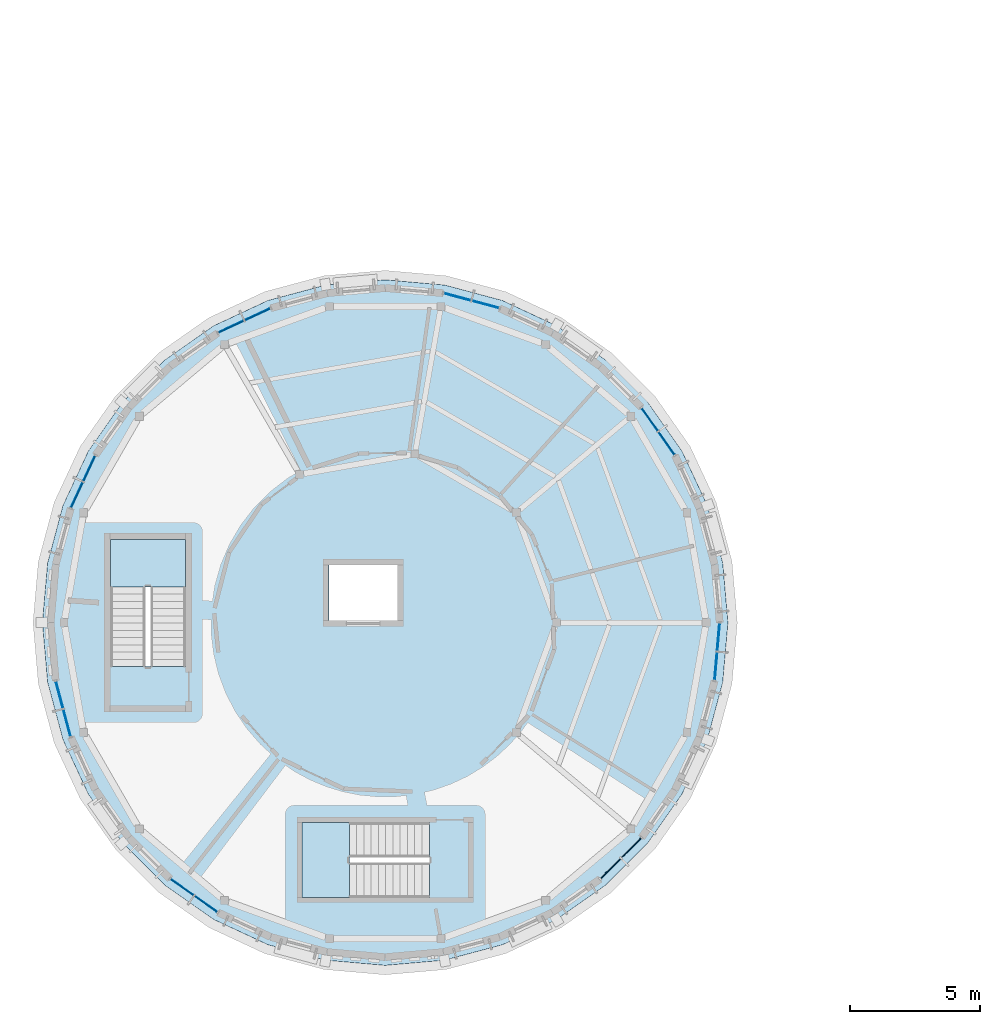
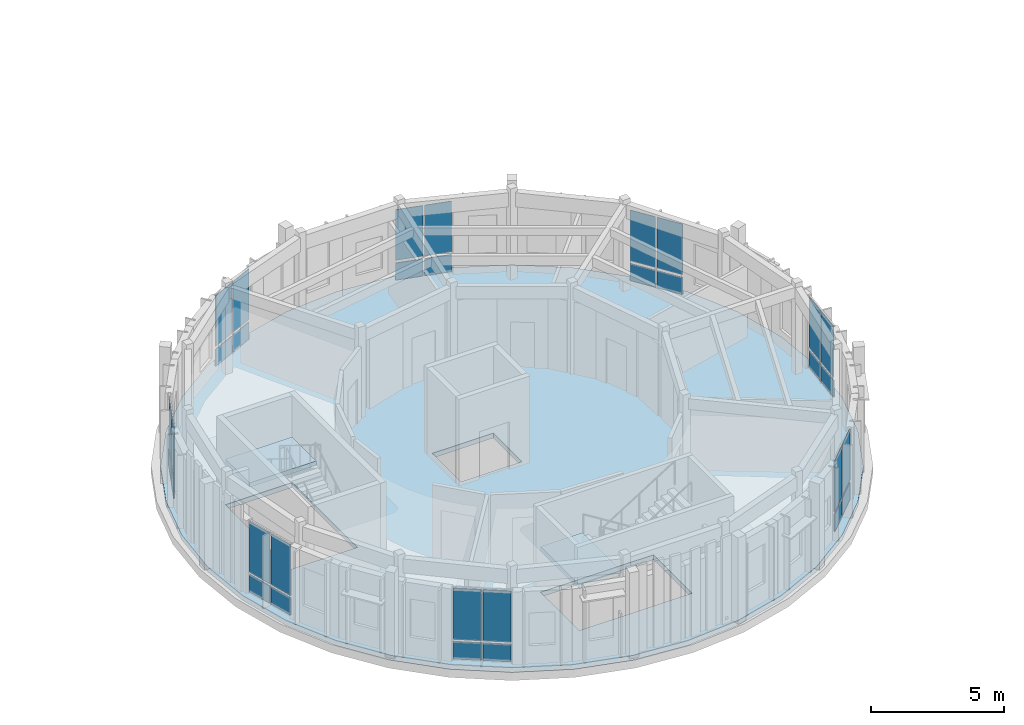
# One storey, part 11 of 37: 32 plates, 3 slabs, 10 elements without a shape of their own.
"""IFC4 building model written with IfcOpenShell, lengths in metres."""

from ifc_helpers import new_model, si_unit, direction, frame, origin, origin_2d, place, context, subcontext, project, spatial, polyline, rectangle, outline, extrude, material, layer, layer_set, type_object, element, aggregate, save


model = new_model("IFC4")

# Units and contexts
model_context = context("Model", 3, precision=1e-05, world=origin(), true_north=direction((0.0, 1.0)))
body_context = subcontext(model_context, "Body", "Model", "MODEL_VIEW")
ifc_project = project(units=[si_unit("LENGTHUNIT", "METRE"), si_unit("AREAUNIT", "SQUARE_METRE"), si_unit("VOLUMEUNIT", "CUBIC_METRE"), si_unit("PLANEANGLEUNIT", "RADIAN"), si_unit("MASSUNIT", "GRAM", prefix="KILO")], contexts=[model_context])

# Site, building, storey
site_placement = place(None, origin())
site = spatial("IfcSite", under=ifc_project, at=site_placement, CompositionType="ELEMENT")
building_placement = place(site_placement, origin())
building = spatial("IfcBuilding", under=site, at=building_placement, Name="Aldenvaro Health Centre", CompositionType="ELEMENT")
storey_placement = place(building_placement, frame((0.0, 0.0, 12.949951171875)))
storey = spatial("IfcBuildingStorey", under=building, at=storey_placement, Name="L03", CompositionType="ELEMENT", Elevation=12.949951171875)

# Curtain wall, plates
ifc_material_1 = material(Name="Anodised Aluminium 6063-T6", Category="aluminium")
ifc_layer_1 = layer(ifc_material_1, 0.22509765625, Name="Anodised Aluminium 6063-T6", Category="aluminium")
ifc_layer_set_1 = layer_set([ifc_layer_1], Name="Anodised Aluminium 6063-T6")
curtain_wall_type = type_object("IfcCurtainWallType", Name="CW-TER-04", PredefinedType="NOTDEFINED", material=ifc_layer_set_1)
curtain_wall_1_placement = place(storey_placement, origin())
curtain_wall_1 = element("IfcCurtainWall", 1, at=curtain_wall_1_placement, inside=storey, type_object=curtain_wall_type, Name="D5 L03 curtain wall bay 01", PredefinedType="NOTDEFINED")
ifc_material_2 = material(Name="Low-E Double Glazing IGU", Category="glass")
ifc_layer_2 = layer(ifc_material_2, 0.028076171875, Name="Low-E Double Glazing IGU", Category="glass")
ifc_layer_set_2 = layer_set([ifc_layer_2], Name="Low-E Double Glazing IGU")
plate_type_1 = type_object("IfcPlateType", Name="CWP-IGU-28", PredefinedType="CURTAIN_PANEL", material=ifc_layer_set_2)
plate_1_placement = place(storey_placement, frame((31.35107421875, 17.93994140625, 0.96044921875), z_axis=(0.0, 0.0, 1.0), x_axis=(-0.087166950289, -0.996193717495, 0.0)))
plate_1 = element("IfcPlate", 2, at=plate_1_placement, type_object=plate_type_1, Name="D5 L03 curtain wall bay 01 vision glazing 1", PredefinedType="CURTAIN_PANEL", context=body_context, shape_type="SweptSolid", body=[
    extrude(rectangle(XDim=1.053955078125, YDim=0.028076171875, at=origin_2d()), origin(), (0.0, 0.0, 1.0), 2.3291015625),
])
plate_2_placement = place(storey_placement, frame((31.2529296875, 16.820068359375, 0.96044921875), z_axis=(0.0, 0.0, 1.0), x_axis=(-0.087166950289, -0.996193717495, 0.0)))
plate_2 = element("IfcPlate", 3, at=plate_2_placement, type_object=plate_type_1, Name="D5 L03 curtain wall bay 01 vision glazing 2", PredefinedType="CURTAIN_PANEL", context=body_context, shape_type="SweptSolid", body=[
    extrude(rectangle(XDim=1.053955078125, YDim=0.028076171875, at=origin_2d()), origin(), (0.0, 0.0, 1.0), 2.3291015625),
])

curtain_wall_2_placement = place(storey_placement, origin())
curtain_wall_2 = element("IfcCurtainWall", 4, at=curtain_wall_2_placement, inside=storey, type_object=curtain_wall_type, Name="D5 L03 curtain wall bay 05", PredefinedType="NOTDEFINED")
plate_3_placement = place(storey_placement, frame((27.985107421875, 9.81103515625, 0.96044921875), z_axis=(0.0, 0.0, 1.0), x_axis=(-0.707106781187, -0.707106781187, 0.0)))
plate_3 = element("IfcPlate", 5, at=plate_3_placement, type_object=plate_type_1, Name="D5 L03 curtain wall bay 05 vision glazing 1", PredefinedType="CURTAIN_PANEL", context=body_context, shape_type="SweptSolid", body=[
    extrude(rectangle(XDim=1.053955078125, YDim=0.028076171875, at=origin_2d()), origin(), (0.0, 0.0, 1.0), 2.3291015625),
])
plate_4_placement = place(storey_placement, frame((27.18994140625, 9.014892578125, 0.96044921875), z_axis=(0.0, 0.0, 1.0), x_axis=(-0.707106781187, -0.707106781187, 0.0)))
plate_4 = element("IfcPlate", 6, at=plate_4_placement, type_object=plate_type_1, Name="D5 L03 curtain wall bay 05 vision glazing 2", PredefinedType="CURTAIN_PANEL", context=body_context, shape_type="SweptSolid", body=[
    extrude(rectangle(XDim=1.053955078125, YDim=0.028076171875, at=origin_2d()), origin(), (0.0, 0.0, 1.0), 2.3291015625),
])

curtain_wall_3_placement = place(storey_placement, origin())
curtain_wall_3 = element("IfcCurtainWall", 7, at=curtain_wall_3_placement, inside=storey, type_object=curtain_wall_type, Name="D5 L03 curtain wall bay 13", PredefinedType="NOTDEFINED")
plate_5_placement = place(storey_placement, frame((11.590087890625, 7.65087890625, 0.96044921875), z_axis=(0.0, 0.0, 1.0), x_axis=(-0.819106553991, 0.573641397746, 0.0)))
plate_5 = element("IfcPlate", 8, at=plate_5_placement, type_object=plate_type_1, Name="D5 L03 curtain wall bay 13 vision glazing 1", PredefinedType="CURTAIN_PANEL", context=body_context, shape_type="SweptSolid", body=[
    extrude(rectangle(XDim=1.053955078125, YDim=0.028076171875, at=origin_2d()), origin(), (0.0, 0.0, 1.0), 2.3291015625),
])
plate_6_placement = place(storey_placement, frame((10.66796875, 8.2958984375, 0.96044921875), z_axis=(0.0, 0.0, 1.0), x_axis=(-0.819106553991, 0.573641397746, 0.0)))
plate_6 = element("IfcPlate", 9, at=plate_6_placement, type_object=plate_type_1, Name="D5 L03 curtain wall bay 13 vision glazing 2", PredefinedType="CURTAIN_PANEL", context=body_context, shape_type="SweptSolid", body=[
    extrude(rectangle(XDim=1.053955078125, YDim=0.028076171875, at=origin_2d()), origin(), (0.0, 0.0, 1.0), 2.3291015625),
])

curtain_wall_4_placement = place(storey_placement, origin())
curtain_wall_4 = element("IfcCurtainWall", 10, at=curtain_wall_4_placement, inside=storey, type_object=curtain_wall_type, Name="D5 L03 curtain wall bay 17", PredefinedType="NOTDEFINED")
plate_7_placement = place(storey_placement, frame((6.23193359375, 14.631103515625, 0.96044921875), z_axis=(0.0, 0.0, 1.0), x_axis=(-0.258825000966, 0.9659242304, 0.0)))
plate_7 = element("IfcPlate", 11, at=plate_7_placement, type_object=plate_type_1, Name="D5 L03 curtain wall bay 17 vision glazing 1", PredefinedType="CURTAIN_PANEL", context=body_context, shape_type="SweptSolid", body=[
    extrude(rectangle(XDim=1.053955078125, YDim=0.028076171875, at=origin_2d()), origin(), (0.0, 0.0, 1.0), 2.3291015625),
])
plate_8_placement = place(storey_placement, frame((5.94189453125, 15.717041015625, 0.96044921875), z_axis=(0.0, 0.0, 1.0), x_axis=(-0.258825000966, 0.9659242304, 0.0)))
plate_8 = element("IfcPlate", 12, at=plate_8_placement, type_object=plate_type_1, Name="D5 L03 curtain wall bay 17 vision glazing 2", PredefinedType="CURTAIN_PANEL", context=body_context, shape_type="SweptSolid", body=[
    extrude(rectangle(XDim=1.053955078125, YDim=0.028076171875, at=origin_2d()), origin(), (0.0, 0.0, 1.0), 2.3291015625),
])

curtain_wall_5_placement = place(storey_placement, origin())
curtain_wall_5 = element("IfcCurtainWall", 13, at=curtain_wall_5_placement, inside=storey, type_object=curtain_wall_type, Name="D5 L03 curtain wall bay 21", PredefinedType="NOTDEFINED")
plate_9_placement = place(storey_placement, frame((6.614990234375, 23.4208984375, 0.96044921875), z_axis=(0.0, 0.0, 1.0), x_axis=(0.422495879545, 0.906364844733, 0.0)))
plate_9 = element("IfcPlate", 14, at=plate_9_placement, type_object=plate_type_1, Name="D5 L03 curtain wall bay 21 vision glazing 1", PredefinedType="CURTAIN_PANEL", context=body_context, shape_type="SweptSolid", body=[
    extrude(rectangle(XDim=1.053955078125, YDim=0.028076171875, at=origin_2d()), origin(), (0.0, 0.0, 1.0), 2.3291015625),
])
plate_10_placement = place(storey_placement, frame((7.091064453125, 24.44091796875, 0.96044921875), z_axis=(0.0, 0.0, 1.0), x_axis=(0.422495879545, 0.906364844733, 0.0)))
plate_10 = element("IfcPlate", 15, at=plate_10_placement, type_object=plate_type_1, Name="D5 L03 curtain wall bay 21 vision glazing 2", PredefinedType="CURTAIN_PANEL", context=body_context, shape_type="SweptSolid", body=[
    extrude(rectangle(XDim=1.053955078125, YDim=0.028076171875, at=origin_2d()), origin(), (0.0, 0.0, 1.0), 2.3291015625),
])

curtain_wall_6_placement = place(storey_placement, origin())
curtain_wall_6 = element("IfcCurtainWall", 16, at=curtain_wall_6_placement, inside=storey, type_object=curtain_wall_type, Name="D5 L03 curtain wall bay 25", PredefinedType="NOTDEFINED")
plate_11_placement = place(storey_placement, frame((12.55908203125, 29.909912109375, 0.96044921875), z_axis=(0.0, 0.0, 1.0), x_axis=(0.906364844733, 0.422495879545, 0.0)))
plate_11 = element("IfcPlate", 17, at=plate_11_placement, type_object=plate_type_1, Name="D5 L03 curtain wall bay 25 vision glazing 1", PredefinedType="CURTAIN_PANEL", context=body_context, shape_type="SweptSolid", body=[
    extrude(rectangle(XDim=1.053955078125, YDim=0.028076171875, at=origin_2d()), origin(), (0.0, 0.0, 1.0), 2.3291015625),
])
plate_12_placement = place(storey_placement, frame((13.5791015625, 30.384033203125, 0.96044921875), z_axis=(0.0, 0.0, 1.0), x_axis=(0.906364844733, 0.422495879545, 0.0)))
plate_12 = element("IfcPlate", 18, at=plate_12_placement, type_object=plate_type_1, Name="D5 L03 curtain wall bay 25 vision glazing 2", PredefinedType="CURTAIN_PANEL", context=body_context, shape_type="SweptSolid", body=[
    extrude(rectangle(XDim=1.053955078125, YDim=0.028076171875, at=origin_2d()), origin(), (0.0, 0.0, 1.0), 2.3291015625),
])

curtain_wall_7_placement = place(storey_placement, origin())
curtain_wall_7 = element("IfcCurtainWall", 19, at=curtain_wall_7_placement, inside=storey, type_object=curtain_wall_type, Name="D5 L03 curtain wall bay 29", PredefinedType="NOTDEFINED")
plate_13_placement = place(storey_placement, frame((21.282958984375, 31.05908203125, 0.96044921875), z_axis=(0.0, 0.0, 1.0), x_axis=(0.9659242304, -0.258825000966, 0.0)))
plate_13 = element("IfcPlate", 20, at=plate_13_placement, type_object=plate_type_1, Name="D5 L03 curtain wall bay 29 vision glazing 1", PredefinedType="CURTAIN_PANEL", context=body_context, shape_type="SweptSolid", body=[
    extrude(rectangle(XDim=1.053955078125, YDim=0.028076171875, at=origin_2d()), origin(), (0.0, 0.0, 1.0), 2.3291015625),
])
plate_14_placement = place(storey_placement, frame((22.368896484375, 30.76806640625, 0.96044921875), z_axis=(0.0, 0.0, 1.0), x_axis=(0.9659242304, -0.258825000966, 0.0)))
plate_14 = element("IfcPlate", 21, at=plate_14_placement, type_object=plate_type_1, Name="D5 L03 curtain wall bay 29 vision glazing 2", PredefinedType="CURTAIN_PANEL", context=body_context, shape_type="SweptSolid", body=[
    extrude(rectangle(XDim=1.053955078125, YDim=0.028076171875, at=origin_2d()), origin(), (0.0, 0.0, 1.0), 2.3291015625),
])

curtain_wall_8_placement = place(storey_placement, origin())
curtain_wall_8 = element("IfcCurtainWall", 22, at=curtain_wall_8_placement, inside=storey, type_object=curtain_wall_type, Name="D5 L03 curtain wall bay 33", PredefinedType="NOTDEFINED")
plate_15_placement = place(storey_placement, frame((28.705078125, 26.33203125, 0.96044921875), z_axis=(0.0, 0.0, 1.0), x_axis=(0.573641397746, -0.819106553991, 0.0)))
plate_15 = element("IfcPlate", 23, at=plate_15_placement, type_object=plate_type_1, Name="D5 L03 curtain wall bay 33 vision glazing 1", PredefinedType="CURTAIN_PANEL", context=body_context, shape_type="SweptSolid", body=[
    extrude(rectangle(XDim=1.053955078125, YDim=0.028076171875, at=origin_2d()), origin(), (0.0, 0.0, 1.0), 2.3291015625),
])
plate_16_placement = place(storey_placement, frame((29.34912109375, 25.409912109375, 0.96044921875), z_axis=(0.0, 0.0, 1.0), x_axis=(0.573641397746, -0.819106553991, 0.0)))
plate_16 = element("IfcPlate", 24, at=plate_16_placement, type_object=plate_type_1, Name="D5 L03 curtain wall bay 33 vision glazing 2", PredefinedType="CURTAIN_PANEL", context=body_context, shape_type="SweptSolid", body=[
    extrude(rectangle(XDim=1.053955078125, YDim=0.028076171875, at=origin_2d()), origin(), (0.0, 0.0, 1.0), 2.3291015625),
])

# Plate
ifc_material_3 = material(Name="Insulated Aluminium Spandrel", Category="aluminium")
ifc_layer_3 = layer(ifc_material_3, 0.035888671875, Name="Insulated Aluminium Spandrel", Category="aluminium")
ifc_layer_set_3 = layer_set([ifc_layer_3], Name="Insulated Aluminium Spandrel")
plate_type_2 = type_object("IfcPlateType", Name="CWP-SPN-36", PredefinedType="CURTAIN_PANEL", material=ifc_layer_set_3)
plate_17_placement = place(storey_placement, frame((31.35107421875, 17.93994140625, 0.06005859375), z_axis=(0.0, 0.0, 1.0), x_axis=(-0.087166950289, -0.996193717495, 0.0)))
plate_17 = element("IfcPlate", 25, at=plate_17_placement, type_object=plate_type_2, Name="D5 L03 curtain wall bay 01 spandrel panel 1", PredefinedType="CURTAIN_PANEL", context=body_context, shape_type="SweptSolid", body=[
    extrude(rectangle(XDim=1.053955078125, YDim=0.035888671875, at=origin_2d()), origin(), (0.0, 0.0, 1.0), 0.780029296875),
])

plate_18_placement = place(storey_placement, frame((31.2529296875, 16.820068359375, 0.06005859375), z_axis=(0.0, 0.0, 1.0), x_axis=(-0.087166950289, -0.996193717495, 0.0)))
plate_18 = element("IfcPlate", 26, at=plate_18_placement, type_object=plate_type_2, Name="D5 L03 curtain wall bay 01 spandrel panel 2", PredefinedType="CURTAIN_PANEL", context=body_context, shape_type="SweptSolid", body=[
    extrude(rectangle(XDim=1.053955078125, YDim=0.035888671875, at=origin_2d()), origin(), (0.0, 0.0, 1.0), 0.780029296875),
])

aggregate(curtain_wall_1, [plate_17, plate_1, plate_18, plate_2])

plate_19_placement = place(storey_placement, frame((27.985107421875, 9.81103515625, 0.06005859375), z_axis=(0.0, 0.0, 1.0), x_axis=(-0.707106781187, -0.707106781187, 0.0)))
plate_19 = element("IfcPlate", 27, at=plate_19_placement, type_object=plate_type_2, Name="D5 L03 curtain wall bay 05 spandrel panel 1", PredefinedType="CURTAIN_PANEL", context=body_context, shape_type="SweptSolid", body=[
    extrude(rectangle(XDim=1.053955078125, YDim=0.035888671875, at=origin_2d()), origin(), (0.0, 0.0, 1.0), 0.780029296875),
])

plate_20_placement = place(storey_placement, frame((27.18994140625, 9.014892578125, 0.06005859375), z_axis=(0.0, 0.0, 1.0), x_axis=(-0.707106781187, -0.707106781187, 0.0)))
plate_20 = element("IfcPlate", 28, at=plate_20_placement, type_object=plate_type_2, Name="D5 L03 curtain wall bay 05 spandrel panel 2", PredefinedType="CURTAIN_PANEL", context=body_context, shape_type="SweptSolid", body=[
    extrude(rectangle(XDim=1.053955078125, YDim=0.035888671875, at=origin_2d()), origin(), (0.0, 0.0, 1.0), 0.780029296875),
])

aggregate(curtain_wall_2, [plate_19, plate_3, plate_20, plate_4])

plate_21_placement = place(storey_placement, frame((11.590087890625, 7.65087890625, 0.06005859375), z_axis=(0.0, 0.0, 1.0), x_axis=(-0.819106553991, 0.573641397746, 0.0)))
plate_21 = element("IfcPlate", 29, at=plate_21_placement, type_object=plate_type_2, Name="D5 L03 curtain wall bay 13 spandrel panel 1", PredefinedType="CURTAIN_PANEL", context=body_context, shape_type="SweptSolid", body=[
    extrude(rectangle(XDim=1.053955078125, YDim=0.035888671875, at=origin_2d()), origin(), (0.0, 0.0, 1.0), 0.780029296875),
])

plate_22_placement = place(storey_placement, frame((10.66796875, 8.2958984375, 0.06005859375), z_axis=(0.0, 0.0, 1.0), x_axis=(-0.819106553991, 0.573641397746, 0.0)))
plate_22 = element("IfcPlate", 30, at=plate_22_placement, type_object=plate_type_2, Name="D5 L03 curtain wall bay 13 spandrel panel 2", PredefinedType="CURTAIN_PANEL", context=body_context, shape_type="SweptSolid", body=[
    extrude(rectangle(XDim=1.053955078125, YDim=0.035888671875, at=origin_2d()), origin(), (0.0, 0.0, 1.0), 0.780029296875),
])

aggregate(curtain_wall_3, [plate_21, plate_5, plate_22, plate_6])

plate_23_placement = place(storey_placement, frame((6.23193359375, 14.631103515625, 0.06005859375), z_axis=(0.0, 0.0, 1.0), x_axis=(-0.258825000966, 0.9659242304, 0.0)))
plate_23 = element("IfcPlate", 31, at=plate_23_placement, type_object=plate_type_2, Name="D5 L03 curtain wall bay 17 spandrel panel 1", PredefinedType="CURTAIN_PANEL", context=body_context, shape_type="SweptSolid", body=[
    extrude(rectangle(XDim=1.053955078125, YDim=0.035888671875, at=origin_2d()), origin(), (0.0, 0.0, 1.0), 0.780029296875),
])

plate_24_placement = place(storey_placement, frame((5.94189453125, 15.717041015625, 0.06005859375), z_axis=(0.0, 0.0, 1.0), x_axis=(-0.258825000966, 0.9659242304, 0.0)))
plate_24 = element("IfcPlate", 32, at=plate_24_placement, type_object=plate_type_2, Name="D5 L03 curtain wall bay 17 spandrel panel 2", PredefinedType="CURTAIN_PANEL", context=body_context, shape_type="SweptSolid", body=[
    extrude(rectangle(XDim=1.053955078125, YDim=0.035888671875, at=origin_2d()), origin(), (0.0, 0.0, 1.0), 0.780029296875),
])

aggregate(curtain_wall_4, [plate_23, plate_7, plate_24, plate_8])

plate_25_placement = place(storey_placement, frame((6.614990234375, 23.4208984375, 0.06005859375), z_axis=(0.0, 0.0, 1.0), x_axis=(0.422495879545, 0.906364844733, 0.0)))
plate_25 = element("IfcPlate", 33, at=plate_25_placement, type_object=plate_type_2, Name="D5 L03 curtain wall bay 21 spandrel panel 1", PredefinedType="CURTAIN_PANEL", context=body_context, shape_type="SweptSolid", body=[
    extrude(rectangle(XDim=1.053955078125, YDim=0.035888671875, at=origin_2d()), origin(), (0.0, 0.0, 1.0), 0.780029296875),
])

plate_26_placement = place(storey_placement, frame((7.091064453125, 24.44091796875, 0.06005859375), z_axis=(0.0, 0.0, 1.0), x_axis=(0.422495879545, 0.906364844733, 0.0)))
plate_26 = element("IfcPlate", 34, at=plate_26_placement, type_object=plate_type_2, Name="D5 L03 curtain wall bay 21 spandrel panel 2", PredefinedType="CURTAIN_PANEL", context=body_context, shape_type="SweptSolid", body=[
    extrude(rectangle(XDim=1.053955078125, YDim=0.035888671875, at=origin_2d()), origin(), (0.0, 0.0, 1.0), 0.780029296875),
])

aggregate(curtain_wall_5, [plate_25, plate_9, plate_26, plate_10])

plate_27_placement = place(storey_placement, frame((12.55908203125, 29.909912109375, 0.06005859375), z_axis=(0.0, 0.0, 1.0), x_axis=(0.906364844733, 0.422495879545, 0.0)))
plate_27 = element("IfcPlate", 35, at=plate_27_placement, type_object=plate_type_2, Name="D5 L03 curtain wall bay 25 spandrel panel 1", PredefinedType="CURTAIN_PANEL", context=body_context, shape_type="SweptSolid", body=[
    extrude(rectangle(XDim=1.053955078125, YDim=0.035888671875, at=origin_2d()), origin(), (0.0, 0.0, 1.0), 0.780029296875),
])

plate_28_placement = place(storey_placement, frame((13.5791015625, 30.384033203125, 0.06005859375), z_axis=(0.0, 0.0, 1.0), x_axis=(0.906364844733, 0.422495879545, 0.0)))
plate_28 = element("IfcPlate", 36, at=plate_28_placement, type_object=plate_type_2, Name="D5 L03 curtain wall bay 25 spandrel panel 2", PredefinedType="CURTAIN_PANEL", context=body_context, shape_type="SweptSolid", body=[
    extrude(rectangle(XDim=1.053955078125, YDim=0.035888671875, at=origin_2d()), origin(), (0.0, 0.0, 1.0), 0.780029296875),
])

aggregate(curtain_wall_6, [plate_27, plate_11, plate_28, plate_12])

plate_29_placement = place(storey_placement, frame((21.282958984375, 31.05908203125, 0.06005859375), z_axis=(0.0, 0.0, 1.0), x_axis=(0.9659242304, -0.258825000966, 0.0)))
plate_29 = element("IfcPlate", 37, at=plate_29_placement, type_object=plate_type_2, Name="D5 L03 curtain wall bay 29 spandrel panel 1", PredefinedType="CURTAIN_PANEL", context=body_context, shape_type="SweptSolid", body=[
    extrude(rectangle(XDim=1.053955078125, YDim=0.035888671875, at=origin_2d()), origin(), (0.0, 0.0, 1.0), 0.780029296875),
])

plate_30_placement = place(storey_placement, frame((22.368896484375, 30.76806640625, 0.06005859375), z_axis=(0.0, 0.0, 1.0), x_axis=(0.9659242304, -0.258825000966, 0.0)))
plate_30 = element("IfcPlate", 38, at=plate_30_placement, type_object=plate_type_2, Name="D5 L03 curtain wall bay 29 spandrel panel 2", PredefinedType="CURTAIN_PANEL", context=body_context, shape_type="SweptSolid", body=[
    extrude(rectangle(XDim=1.053955078125, YDim=0.035888671875, at=origin_2d()), origin(), (0.0, 0.0, 1.0), 0.780029296875),
])

aggregate(curtain_wall_7, [plate_29, plate_13, plate_30, plate_14])

plate_31_placement = place(storey_placement, frame((28.705078125, 26.33203125, 0.06005859375), z_axis=(0.0, 0.0, 1.0), x_axis=(0.573641397746, -0.819106553991, 0.0)))
plate_31 = element("IfcPlate", 39, at=plate_31_placement, type_object=plate_type_2, Name="D5 L03 curtain wall bay 33 spandrel panel 1", PredefinedType="CURTAIN_PANEL", context=body_context, shape_type="SweptSolid", body=[
    extrude(rectangle(XDim=1.053955078125, YDim=0.035888671875, at=origin_2d()), origin(), (0.0, 0.0, 1.0), 0.780029296875),
])

plate_32_placement = place(storey_placement, frame((29.34912109375, 25.409912109375, 0.06005859375), z_axis=(0.0, 0.0, 1.0), x_axis=(0.573641397746, -0.819106553991, 0.0)))
plate_32 = element("IfcPlate", 40, at=plate_32_placement, type_object=plate_type_2, Name="D5 L03 curtain wall bay 33 spandrel panel 2", PredefinedType="CURTAIN_PANEL", context=body_context, shape_type="SweptSolid", body=[
    extrude(rectangle(XDim=1.053955078125, YDim=0.035888671875, at=origin_2d()), origin(), (0.0, 0.0, 1.0), 0.780029296875),
])

aggregate(curtain_wall_8, [plate_31, plate_15, plate_32, plate_16])

# Slab
ifc_material_4 = material(Name="Cross-laminated timber CLT E1", Category="wood")
ifc_layer_4 = layer(ifc_material_4, 0.22509765625, Name="Cross-laminated timber CLT E1", Category="wood")
ifc_layer_set_4 = layer_set([ifc_layer_4], Name="Cross-laminated timber CLT E1")
slab_type_1 = type_object("IfcSlabType", Name="SLB-CLT-225", PredefinedType="FLOOR", material=ifc_layer_set_4)
slab_1_placement = place(storey_placement, frame((0.0, 0.0, -0.224853515625)))
element("IfcSlab", 41, at=slab_1_placement, inside=storey, type_object=slab_type_1, Name="D5 L03 floor slab", PredefinedType="FLOOR", context=body_context, shape_type="SweptSolid", body=[
    extrude(outline(polyline([(31.719970703125, 18.5), (31.51904296875, 20.7958984375), (30.923095703125, 23.02197265625), (29.948974609375, 25.110107421875), (28.626953125, 26.998046875), (26.998046875, 28.626953125), (25.110107421875, 29.948974609375), (23.02197265625, 30.923095703125), (20.7958984375, 31.51904296875), (18.5, 31.719970703125), (16.2041015625, 31.51904296875), (13.97802734375, 30.923095703125), (11.889892578125, 29.948974609375), (10.001953125, 28.626953125), (8.373046875, 26.998046875), (7.051025390625, 25.110107421875), (6.076904296875, 23.02197265625), (5.48095703125, 20.7958984375), (5.280029296875, 18.5), (5.48095703125, 16.2041015625), (6.076904296875, 13.97802734375), (7.051025390625, 11.889892578125), (8.373046875, 10.001953125), (10.001953125, 8.373046875), (11.889892578125, 7.051025390625), (13.97802734375, 6.076904296875), (16.2041015625, 5.48095703125), (18.5, 5.280029296875), (20.7958984375, 5.48095703125), (23.02197265625, 6.076904296875), (25.110107421875, 7.051025390625), (26.998046875, 8.373046875), (28.626953125, 10.001953125), (29.948974609375, 11.889892578125), (30.923095703125, 13.97802734375), (31.51904296875, 16.2041015625), (31.719970703125, 18.5)]), holes=[polyline([(10.800048828125, 16.800048828125), (10.800048828125, 21.699951171875), (7.89990234375, 21.699951171875), (7.89990234375, 16.800048828125), (10.800048828125, 16.800048828125)]), polyline([(20.199951171875, 10.800048828125), (15.300048828125, 10.800048828125), (15.300048828125, 7.89990234375), (20.199951171875, 7.89990234375), (20.199951171875, 10.800048828125)]), polyline([(16.324951171875, 18.574951171875), (18.97509765625, 18.574951171875), (18.97509765625, 20.72509765625), (16.324951171875, 20.72509765625), (16.324951171875, 18.574951171875)])]), origin(), (0.0, 0.0, 1.0), 0.224853515625),
])

# Stair, slab
ifc_material_5 = material(Name="Concrete f'c 40 MPa", Category="concrete")
stair_type = type_object("IfcStairType", Name="STR-DOG-420", PredefinedType="HALF_TURN_STAIR", material=ifc_material_5)
stair_1_placement = place(storey_placement, origin())
stair_1 = element("IfcStair", 42, at=stair_1_placement, inside=storey, type_object=stair_type, Name="L03 Exit Stair ST-09", PredefinedType="HALF_TURN_STAIR")
ifc_layer_5 = layer(ifc_material_5, 0.199951171875, Name="Concrete f'c 40 MPa", Category="concrete")
ifc_layer_set_5 = layer_set([ifc_layer_5], Name="Concrete f'c 40 MPa")
slab_type_2 = type_object("IfcSlabType", Name="SLB-LND-200", PredefinedType="LANDING", material=ifc_layer_set_5)
slab_2_placement = place(storey_placement, frame((0.0, 0.0, 1.900146484375)))
slab_2 = element("IfcSlab", 43, at=slab_2_placement, type_object=slab_type_2, Name="ST-09 landing 1", PredefinedType="LANDING", context=body_context, shape_type="SweptSolid", body=[
    extrude(outline(polyline([(10.800048828125, 19.8798828125), (10.800048828125, 21.699951171875), (7.89990234375, 21.699951171875), (7.89990234375, 19.8798828125), (10.800048828125, 19.8798828125)])), origin(), (0.0, 0.0, 1.0), 0.199951171875),
])
aggregate(stair_1, [slab_2])

stair_2_placement = place(storey_placement, origin())
stair_2 = element("IfcStair", 44, at=stair_2_placement, inside=storey, type_object=stair_type, Name="L03 Exit Stair ST-10", PredefinedType="HALF_TURN_STAIR")
slab_3_placement = place(storey_placement, frame((0.0, 0.0, 1.900146484375)))
slab_3 = element("IfcSlab", 45, at=slab_3_placement, type_object=slab_type_2, Name="ST-10 landing 1", PredefinedType="LANDING", context=body_context, shape_type="SweptSolid", body=[
    extrude(outline(polyline([(17.1201171875, 10.800048828125), (15.300048828125, 10.800048828125), (15.300048828125, 7.89990234375), (17.1201171875, 7.89990234375), (17.1201171875, 10.800048828125)])), origin(), (0.0, 0.0, 1.0), 0.199951171875),
])
aggregate(stair_2, [slab_3])

save(model, "model.ifc")
